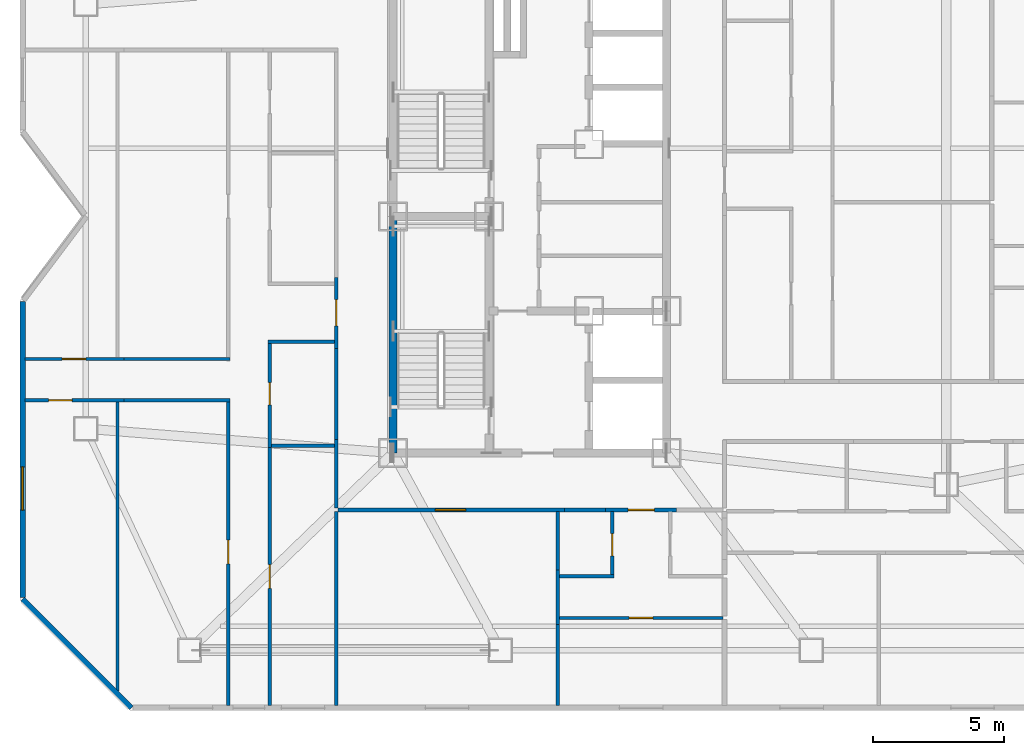
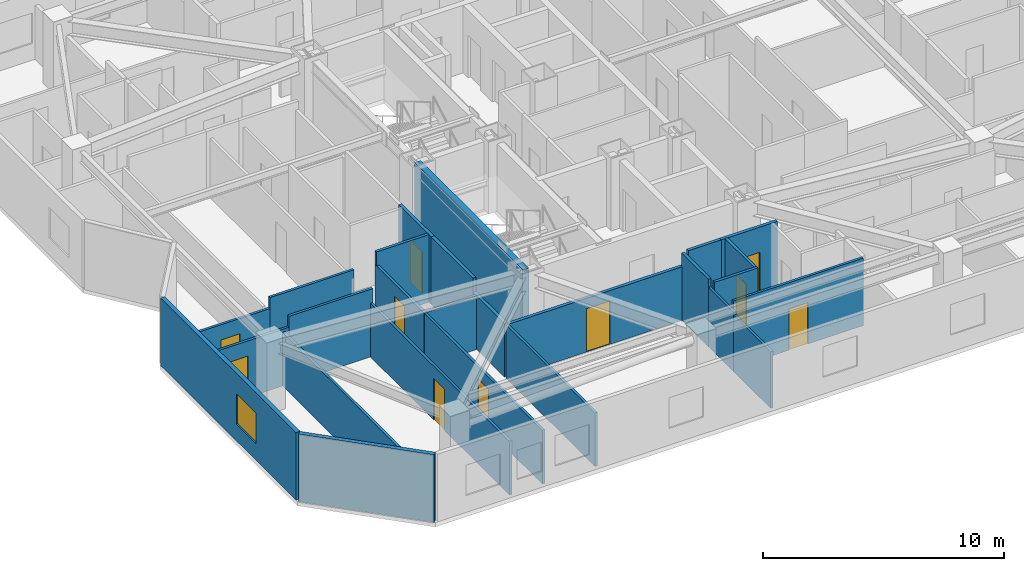
# One storey, part 5 of 13: 26 walls, 10 doors, 1 window, 11 openings.
"""IFC4 building model written with IfcOpenShell, lengths in metres."""

from ifc_helpers import new_model, si_unit, direction, frame, frame_2d, origin, place, context, subcontext, project, spatial, rectangle, extrude, material, layer, layer_set, type_object, element, fill, save


model = new_model("IFC4")

# Units and contexts
model_context = context("Model", 3, precision=1e-05, world=origin(), true_north=direction((0.0, 1.0)))
body_context = subcontext(model_context, "Body", "Model", "MODEL_VIEW")
ifc_project = project(units=[si_unit("LENGTHUNIT", "METRE"), si_unit("AREAUNIT", "SQUARE_METRE"), si_unit("VOLUMEUNIT", "CUBIC_METRE"), si_unit("PLANEANGLEUNIT", "RADIAN"), si_unit("MASSUNIT", "GRAM", prefix="KILO")], contexts=[model_context])

# Site, building, storey
site_placement = place(None, origin())
site = spatial("IfcSite", under=ifc_project, at=site_placement, CompositionType="ELEMENT")
building_placement = place(site_placement, origin())
building = spatial("IfcBuilding", under=site, at=building_placement, Name="Khamvora Tower", CompositionType="ELEMENT")
storey_placement = place(building_placement, frame((0.0, 0.0, 196.050048828125)))
storey = spatial("IfcBuildingStorey", under=building, at=storey_placement, Name="L50", CompositionType="ELEMENT", Elevation=196.050048828125)

# Wall
ifc_material_1 = material(Name="Concrete C50/60", Category="concrete")
ifc_layer_1 = layer(ifc_material_1, 0.300048828125)
ifc_layer_set_1 = layer_set([ifc_layer_1], Name="Concrete C50/60")
wall_type_1 = type_object("IfcWallType", Name="WAL-CORE-300", PredefinedType="SHEAR", material=ifc_layer_set_1)
wall_1_placement = place(storey_placement, frame((29.0, 19.0, 0.0), z_axis=(0.0, 0.0, 1.0), x_axis=(0.0, 1.0, 0.0)))
element("IfcWall", 1, at=wall_1_placement, inside=storey, type_object=wall_type_1, Name="L50 central core west south wall", PredefinedType="SHEAR", context=body_context, shape_type="SweptSolid", body=[
    extrude(rectangle(XDim=9.0, YDim=0.300048828125, at=frame_2d((4.5, 0.0))), origin(), (0.0, 0.0, 1.0), 3.429931640625),
])

# Wall, opening, door
ifc_material_2 = material(Name="Fire-Rated Drywall and Steel Stud", Category="steel")
ifc_layer_2 = layer(ifc_material_2, 0.14990234375)
ifc_layer_set_2 = layer_set([ifc_layer_2], Name="Fire-Rated Drywall and Steel Stud")
wall_type_2 = type_object("IfcWallType", Name="WAL-CORR-150", PredefinedType="STANDARD", material=ifc_layer_set_2)
wall_2_placement = place(storey_placement, frame((35.513916015625, 16.8349609375, 0.0), z_axis=(0.0, 0.0, 1.0), x_axis=(-1.0, 0.0, 0.0)))
wall_2 = element("IfcWall", 2, at=wall_2_placement, inside=storey, type_object=wall_type_2, Name="L50 interior partition wall 007", PredefinedType="STANDARD", context=body_context, shape_type="SweptSolid", body=[
    extrude(rectangle(XDim=8.614013671875, YDim=0.14990234375, at=frame_2d((4.30712890625, 0.0))), origin(), (0.0, 0.0, 1.0), 2.724853515625),
])
opening_1_placement = place(wall_2_placement, frame((3.7529296875, 0.0, 0.0)))
opening_1 = element("IfcOpeningElement", 3, at=opening_1_placement, cuts=wall_2, Name="Opening D-SC1", PredefinedType="OPENING", context=body_context, shape_type="SweptSolid", body=[
    extrude(rectangle(XDim=1.14990234375, YDim=2.199951171875, at=frame_2d((0.574951171875, 1.10009765625))), frame((0.0, 0.0849609375, 0.0), z_axis=(0.0, -1.0, 0.0), x_axis=(1.0, 0.0, 0.0)), (0.0, 0.0, 1.0), 0.169921875),
])
ifc_material_3 = material(Name="Powder-Coated Steel and Hardwood Leaf", Category="steel")
door_type_1 = type_object("IfcDoorType", Name="DOR-SCHL-1150", OperationType="NOTDEFINED", PredefinedType="DOOR", material=ifc_material_3)
door_1_placement = place(opening_1_placement, origin())
door_1 = element("IfcDoor", 4, at=door_1_placement, inside=storey, type_object=door_type_1, Name="L50 interior door COR-RCOW", OperationType="SINGLE_SWING_RIGHT", OverallHeight=2.199951171875, OverallWidth=1.14990234375, PredefinedType="DOOR", context=body_context, shape_type="SweptSolid", body=[
    extrude(rectangle(XDim=1.14990234375, YDim=2.199951171875, at=frame_2d((0.574951171875, 1.10009765625))), frame((0.0, 0.02490234375, 0.0), z_axis=(0.0, -1.0, 0.0), x_axis=(1.0, 0.0, 0.0)), (0.0, 0.0, 1.0), 0.050048828125),
])
fill(opening_1, door_1)

# Wall
wall_3_placement = place(storey_placement, frame((26.8349609375, 16.89990234375, 0.0), z_axis=(0.0, 0.0, 1.0), x_axis=(0.0, 1.0, 0.0)))
element("IfcWall", 5, at=wall_3_placement, inside=storey, type_object=wall_type_2, Name="L50 interior partition wall 008", PredefinedType="STANDARD", context=body_context, shape_type="SweptSolid", body=[
    extrude(rectangle(XDim=2.6181640625, YDim=0.14990234375, at=frame_2d((1.30908203125, 0.0))), origin(), (0.0, 0.0, 1.0), 2.724853515625),
])

# Wall, opening, door
wall_4_placement = place(storey_placement, frame((26.8349609375, 22.985107421875, 0.0), z_axis=(0.0, 0.0, 1.0), x_axis=(0.0, 1.0, 0.0)))
wall_4 = element("IfcWall", 6, at=wall_4_placement, inside=storey, type_object=wall_type_2, Name="L50 interior partition wall 011", PredefinedType="STANDARD", context=body_context, shape_type="SweptSolid", body=[
    extrude(rectangle(XDim=2.697998046875, YDim=0.14990234375, at=frame_2d((1.34912109375, 0.0))), origin(), (0.0, 0.0, 1.0), 3.429931640625),
])
opening_2_placement = place(wall_4_placement, frame((0.84912109375, 0.0, 0.0)))
opening_2 = element("IfcOpeningElement", 7, at=opening_2_placement, cuts=wall_4, Name="Opening D-U1", PredefinedType="OPENING", context=body_context, shape_type="SweptSolid", body=[
    extrude(rectangle(XDim=1.0, YDim=2.14990234375, at=frame_2d((0.5, 1.074951171875))), frame((0.0, 0.0849609375, 0.0), z_axis=(0.0, -1.0, 0.0), x_axis=(1.0, 0.0, 0.0)), (0.0, 0.0, 1.0), 0.169921875),
])
door_type_2 = type_object("IfcDoorType", Name="DOR-UNIT-1000", OperationType="NOTDEFINED", PredefinedType="DOOR", material=ifc_material_3)
door_2_placement = place(opening_2_placement, origin())
door_2 = element("IfcDoor", 8, at=door_2_placement, inside=storey, type_object=door_type_2, Name="L50 interior door COR-50WAH", OperationType="SINGLE_SWING_LEFT", OverallHeight=2.14990234375, OverallWidth=1.0, PredefinedType="DOOR", context=body_context, shape_type="SweptSolid", body=[
    extrude(rectangle(XDim=1.0, YDim=2.14990234375, at=frame_2d((0.5, 1.074951171875))), frame((0.0, 0.02490234375, 0.0), z_axis=(0.0, -1.0, 0.0), x_axis=(1.0, 0.0, 0.0)), (0.0, 0.0, 1.0), 0.050048828125),
])
fill(opening_2, door_2)

# Wall
wall_5_placement = place(storey_placement, frame((26.8349609375, 19.51806640625, 0.0), z_axis=(0.0, 0.0, 1.0), x_axis=(0.0, 1.0, 0.0)))
element("IfcWall", 9, at=wall_5_placement, inside=storey, type_object=wall_type_2, Name="L50 interior partition wall 013", PredefinedType="STANDARD", context=body_context, shape_type="SweptSolid", body=[
    extrude(rectangle(XDim=3.467041015625, YDim=0.14990234375, at=frame_2d((1.7333984375, 0.0))), origin(), (0.0, 0.0, 1.0), 3.429931640625),
])

# Wall, opening, door
wall_6_placement = place(storey_placement, frame((39.7890625, 16.8349609375, 0.0), z_axis=(0.0, 0.0, 1.0), x_axis=(-1.0, 0.0, 0.0)))
wall_6 = element("IfcWall", 10, at=wall_6_placement, inside=storey, type_object=wall_type_2, Name="L50 interior partition wall 022", PredefinedType="STANDARD", context=body_context, shape_type="SweptSolid", body=[
    extrude(rectangle(XDim=2.697998046875, YDim=0.14990234375, at=frame_2d((1.34912109375, 0.0))), origin(), (0.0, 0.0, 1.0), 3.429931640625),
])
opening_3_placement = place(wall_6_placement, frame((0.84912109375, 0.0, 0.0)))
opening_3 = element("IfcOpeningElement", 11, at=opening_3_placement, cuts=wall_6, Name="Opening D-U1", PredefinedType="OPENING", context=body_context, shape_type="SweptSolid", body=[
    extrude(rectangle(XDim=1.0, YDim=2.14990234375, at=frame_2d((0.5, 1.074951171875))), frame((0.0, 0.0849609375, 0.0), z_axis=(0.0, -1.0, 0.0), x_axis=(1.0, 0.0, 0.0)), (0.0, 0.0, 1.0), 0.169921875),
])
door_3_placement = place(opening_3_placement, origin())
door_3 = element("IfcDoor", 12, at=door_3_placement, inside=storey, type_object=door_type_2, Name="L50 interior door COR-50SAH", OperationType="SINGLE_SWING_RIGHT", OverallHeight=2.14990234375, OverallWidth=1.0, PredefinedType="DOOR", context=body_context, shape_type="SweptSolid", body=[
    extrude(rectangle(XDim=1.0, YDim=2.14990234375, at=frame_2d((0.5, 1.074951171875))), frame((0.0, 0.02490234375, 0.0), z_axis=(0.0, -1.0, 0.0), x_axis=(1.0, 0.0, 0.0)), (0.0, 0.0, 1.0), 0.050048828125),
])
fill(opening_3, door_3)

# Walls
wall_7_placement = place(storey_placement, frame((37.091064453125, 16.8349609375, 0.0), z_axis=(0.0, 0.0, 1.0), x_axis=(-1.0, 0.0, 0.0)))
element("IfcWall", 13, at=wall_7_placement, inside=storey, type_object=wall_type_2, Name="L50 interior partition wall 023", PredefinedType="STANDARD", context=body_context, shape_type="SweptSolid", body=[
    extrude(rectangle(XDim=1.5771484375, YDim=0.14990234375, at=frame_2d((0.78857421875, 0.0))), origin(), (0.0, 0.0, 1.0), 3.429931640625),
])
ifc_material_4 = material(Name="Precast concrete C40/50", Category="concrete")
ifc_layer_3 = layer(ifc_material_4, 0.199951171875)
ifc_layer_set_3 = layer_set([ifc_layer_3], Name="Precast concrete C40/50")
wall_type_3 = type_object("IfcWallType", Name="WAL-EXT-200", PredefinedType="STANDARD", material=ifc_layer_set_3)
wall_8_placement = place(storey_placement, frame((19.041015625, 9.300048828125, 0.0), z_axis=(0.0, 0.0, 1.0), x_axis=(-0.707127625344, 0.707085936414, 0.0)))
element("IfcWall", 14, at=wall_8_placement, inside=storey, type_object=wall_type_3, Name="L50 exterior facade wall 01.1", PredefinedType="STANDARD", context=body_context, shape_type="SweptSolid", body=[
    extrude(rectangle(XDim=5.856201171875, YDim=0.199951171875, at=frame_2d((2.92822265625, 0.0))), origin(), (0.0, 0.0, 1.0), 3.429931640625),
])

# Wall, opening, window
wall_9_placement = place(storey_placement, frame((14.89990234375, 13.50390625, 0.0), z_axis=(0.0, 0.0, 1.0), x_axis=(0.0, 1.0, 0.0)))
wall_9 = element("IfcWall", 15, at=wall_9_placement, inside=storey, type_object=wall_type_3, Name="L50 exterior facade wall 02.1", PredefinedType="STANDARD", context=body_context, shape_type="SweptSolid", body=[
    extrude(rectangle(XDim=11.26318359375, YDim=0.199951171875, at=frame_2d((5.631591796875, 0.0))), origin(), (0.0, 0.0, 1.0), 3.429931640625),
])
opening_4_placement = place(wall_9_placement, frame((3.318115234375, 0.0, 0.85009765625)))
opening_4 = element("IfcOpeningElement", 16, at=opening_4_placement, cuts=wall_9, Name="Opening WN-06", PredefinedType="OPENING", context=body_context, shape_type="SweptSolid", body=[
    extrude(rectangle(XDim=1.64990234375, YDim=1.550048828125, at=frame_2d((0.824951171875, 0.77490234375))), frame((0.0, 0.10986328125, 0.0), z_axis=(0.0, -1.0, 0.0), x_axis=(1.0, 0.0, 0.0)), (0.0, 0.0, 1.0), 0.219970703125),
])
ifc_material_5 = material(Name="Low-E Laminated Double Glazing", Category="glass")
window_type = type_object("IfcWindowType", Name="WIN-VIS-1650x1550", PartitioningType="SINGLE_PANEL", PredefinedType="WINDOW", material=ifc_material_5)
window_placement = place(opening_4_placement, origin())
window = element("IfcWindow", 17, at=window_placement, inside=storey, type_object=window_type, Name="L50 vision window 02.1.01", OverallHeight=1.550048828125, OverallWidth=1.64990234375, PartitioningType="SINGLE_PANEL", PredefinedType="WINDOW", context=body_context, shape_type="SweptSolid", body=[
    extrude(rectangle(XDim=1.64990234375, YDim=1.550048828125, at=frame_2d((0.824951171875, 0.77490234375))), frame((0.0, 0.030029296875, 0.0), z_axis=(0.0, -1.0, 0.0), x_axis=(1.0, 0.0, 0.0)), (0.0, 0.0, 1.0), 0.06005859375),
])
fill(opening_4, window)

# Walls
ifc_material_6 = material(Name="Gypsum Plasterboard Partition", Category="gypsum")
ifc_layer_4 = layer(ifc_material_6, 0.1201171875)
ifc_layer_set_4 = layer_set([ifc_layer_4], Name="Gypsum Plasterboard Partition")
wall_type_4 = type_object("IfcWallType", Name="WAL-PART-120", PredefinedType="PARTITIONING", material=ifc_layer_set_4)
wall_10_placement = place(storey_placement, frame((26.8349609375, 9.39208984375, 0.0), z_axis=(0.0, 0.0, 1.0), x_axis=(0.0, 1.0, 0.0)))
element("IfcWall", 18, at=wall_10_placement, inside=storey, type_object=wall_type_4, Name="L50 interior partition wall 044", PredefinedType="PARTITIONING", context=body_context, shape_type="SweptSolid", body=[
    extrude(rectangle(XDim=7.3779296875, YDim=0.1201171875, at=frame_2d((3.68896484375, 0.0))), origin(), (0.0, 0.0, 1.0), 2.724853515625),
])
wall_11_placement = place(storey_placement, frame((35.264892578125, 14.553955078125, 0.0), z_axis=(0.0, 0.0, 1.0), x_axis=(0.0, -1.0, 0.0)))
element("IfcWall", 19, at=wall_11_placement, inside=storey, type_object=wall_type_4, Name="L50 interior partition wall 045", PredefinedType="PARTITIONING", context=body_context, shape_type="SweptSolid", body=[
    extrude(rectangle(XDim=2.077880859375, YDim=0.1201171875, at=frame_2d((1.0390625, 0.0))), origin(), (0.0, 0.0, 1.0), 3.012939453125),
])
wall_12_placement = place(storey_placement, frame((35.264892578125, 12.47607421875, 0.0), z_axis=(0.0, 0.0, 1.0), x_axis=(0.0, -1.0, 0.0)))
element("IfcWall", 20, at=wall_12_placement, inside=storey, type_object=wall_type_4, Name="L50 interior partition wall 047", PredefinedType="PARTITIONING", context=body_context, shape_type="SweptSolid", body=[
    extrude(rectangle(XDim=3.083984375, YDim=0.1201171875, at=frame_2d((1.5419921875, 0.0))), origin(), (0.0, 0.0, 1.0), 2.8759765625),
])

# Wall, opening, door
wall_13_placement = place(storey_placement, frame((24.304931640625, 9.39208984375, 0.0), z_axis=(0.0, 0.0, 1.0), x_axis=(0.0, 1.0, 0.0)))
wall_13 = element("IfcWall", 21, at=wall_13_placement, inside=storey, type_object=wall_type_4, Name="L50 interior partition wall 048", PredefinedType="PARTITIONING", context=body_context, shape_type="SweptSolid", body=[
    extrude(rectangle(XDim=9.81201171875, YDim=0.1201171875, at=frame_2d((4.906005859375, 0.0))), origin(), (0.0, 0.0, 1.0), 2.724853515625),
])
opening_5_placement = place(wall_13_placement, frame((4.4560546875, 0.0, 0.0)))
opening_5 = element("IfcOpeningElement", 22, at=opening_5_placement, cuts=wall_13, Name="Opening D-RM1", PredefinedType="OPENING", context=body_context, shape_type="SweptSolid", body=[
    extrude(rectangle(XDim=0.89990234375, YDim=2.10009765625, at=frame_2d((0.449951171875, 1.050048828125))), frame((0.0, 0.070068359375, 0.0), z_axis=(0.0, -1.0, 0.0), x_axis=(1.0, 0.0, 0.0)), (0.0, 0.0, 1.0), 0.14013671875),
])
door_type_3 = type_object("IfcDoorType", Name="DOR-ROOM-900", OperationType="NOTDEFINED", PredefinedType="DOOR", material=ifc_material_3)
door_4_placement = place(opening_5_placement, origin())
door_4 = element("IfcDoor", 23, at=door_4_placement, inside=storey, type_object=door_type_3, Name="L50 interior door 50WAW1-50WAH", OperationType="SINGLE_SWING_LEFT", OverallHeight=2.10009765625, OverallWidth=0.89990234375, PredefinedType="DOOR", context=body_context, shape_type="SweptSolid", body=[
    extrude(rectangle(XDim=0.89990234375, YDim=2.10009765625, at=frame_2d((0.449951171875, 1.050048828125))), frame((0.0, 0.02490234375, 0.0), z_axis=(0.0, -1.0, 0.0), x_axis=(1.0, 0.0, 0.0)), (0.0, 0.0, 1.0), 0.050048828125),
])
fill(opening_5, door_4)

wall_14_placement = place(storey_placement, frame((18.759033203125, 21.0048828125, 0.0), z_axis=(0.0, 0.0, 1.0), x_axis=(-1.0, 0.0, 0.0)))
wall_14 = element("IfcWall", 24, at=wall_14_placement, inside=storey, type_object=wall_type_4, Name="L50 interior partition wall 056", PredefinedType="PARTITIONING", context=body_context, shape_type="SweptSolid", body=[
    extrude(rectangle(XDim=3.76708984375, YDim=0.1201171875, at=frame_2d((1.883544921875, 0.0))), origin(), (0.0, 0.0, 1.0), 2.8759765625),
])
opening_6_placement = place(wall_14_placement, frame((1.972900390625, 0.0, 0.0)))
opening_6 = element("IfcOpeningElement", 25, at=opening_6_placement, cuts=wall_14, Name="Opening D-RM1", PredefinedType="OPENING", context=body_context, shape_type="SweptSolid", body=[
    extrude(rectangle(XDim=0.89990234375, YDim=2.10009765625, at=frame_2d((0.449951171875, 1.050048828125))), frame((0.0, 0.070068359375, 0.0), z_axis=(0.0, -1.0, 0.0), x_axis=(1.0, 0.0, 0.0)), (0.0, 0.0, 1.0), 0.14013671875),
])
door_5_placement = place(opening_6_placement, origin())
door_5 = element("IfcDoor", 26, at=door_5_placement, inside=storey, type_object=door_type_3, Name="L50 interior door 50WAH-50WAL", OperationType="SINGLE_SWING_RIGHT", OverallHeight=2.10009765625, OverallWidth=0.89990234375, PredefinedType="DOOR", context=body_context, shape_type="SweptSolid", body=[
    extrude(rectangle(XDim=0.89990234375, YDim=2.10009765625, at=frame_2d((0.449951171875, 1.050048828125))), frame((0.0, 0.02490234375, 0.0), z_axis=(0.0, -1.0, 0.0), x_axis=(1.0, 0.0, 0.0)), (0.0, 0.0, 1.0), 0.050048828125),
])
fill(opening_6, door_5)

wall_15_placement = place(storey_placement, frame((22.72509765625, 9.39208984375, 0.0), z_axis=(0.0, 0.0, 1.0), x_axis=(0.0, 1.0, 0.0)))
wall_15 = element("IfcWall", 27, at=wall_15_placement, inside=storey, type_object=wall_type_4, Name="L50 interior partition wall 057", PredefinedType="PARTITIONING", context=body_context, shape_type="SweptSolid", body=[
    extrude(rectangle(XDim=11.677978515625, YDim=0.1201171875, at=frame_2d((5.8388671875, 0.0))), origin(), (0.0, 0.0, 1.0), 2.724853515625),
])
opening_7_placement = place(wall_15_placement, frame((5.388916015625, 0.0, 0.0)))
opening_7 = element("IfcOpeningElement", 28, at=opening_7_placement, cuts=wall_15, Name="Opening D-RM1", PredefinedType="OPENING", context=body_context, shape_type="SweptSolid", body=[
    extrude(rectangle(XDim=0.89990234375, YDim=2.10009765625, at=frame_2d((0.449951171875, 1.050048828125))), frame((0.0, 0.070068359375, 0.0), z_axis=(0.0, -1.0, 0.0), x_axis=(1.0, 0.0, 0.0)), (0.0, 0.0, 1.0), 0.14013671875),
])
door_6_placement = place(opening_7_placement, origin())
door_6 = element("IfcDoor", 29, at=door_6_placement, inside=storey, type_object=door_type_3, Name="L50 interior door 50WAH-50WAR2", OperationType="SINGLE_SWING_RIGHT", OverallHeight=2.10009765625, OverallWidth=0.89990234375, PredefinedType="DOOR", context=body_context, shape_type="SweptSolid", body=[
    extrude(rectangle(XDim=0.89990234375, YDim=2.10009765625, at=frame_2d((0.449951171875, 1.050048828125))), frame((0.0, 0.02490234375, 0.0), z_axis=(0.0, -1.0, 0.0), x_axis=(1.0, 0.0, 0.0)), (0.0, 0.0, 1.0), 0.050048828125),
])
fill(opening_7, door_6)

# Wall
wall_16_placement = place(storey_placement, frame((22.7900390625, 21.0048828125, 0.0), z_axis=(0.0, 0.0, 1.0), x_axis=(-1.0, 0.0, 0.0)))
element("IfcWall", 30, at=wall_16_placement, inside=storey, type_object=wall_type_4, Name="L50 interior partition wall 058", PredefinedType="PARTITIONING", context=body_context, shape_type="SweptSolid", body=[
    extrude(rectangle(XDim=4.031005859375, YDim=0.1201171875, at=frame_2d((2.015625, 0.0))), origin(), (0.0, 0.0, 1.0), 3.429931640625),
])

# Wall, opening, door
wall_17_placement = place(storey_placement, frame((14.991943359375, 22.574951171875, 0.0), z_axis=(0.0, 0.0, 1.0), x_axis=(1.0, 0.0, 0.0)))
wall_17 = element("IfcWall", 31, at=wall_17_placement, inside=storey, type_object=wall_type_4, Name="L50 interior partition wall 059", PredefinedType="PARTITIONING", context=body_context, shape_type="SweptSolid", body=[
    extrude(rectangle(XDim=3.76708984375, YDim=0.1201171875, at=frame_2d((1.883544921875, 0.0))), origin(), (0.0, 0.0, 1.0), 2.8759765625),
])
opening_8_placement = place(wall_17_placement, frame((1.4130859375, 0.0, 0.0)))
opening_8 = element("IfcOpeningElement", 32, at=opening_8_placement, cuts=wall_17, Name="Opening D-RM1", PredefinedType="OPENING", context=body_context, shape_type="SweptSolid", body=[
    extrude(rectangle(XDim=0.89990234375, YDim=2.10009765625, at=frame_2d((0.449951171875, 1.050048828125))), frame((0.0, 0.070068359375, 0.0), z_axis=(0.0, -1.0, 0.0), x_axis=(1.0, 0.0, 0.0)), (0.0, 0.0, 1.0), 0.14013671875),
])
door_7_placement = place(opening_8_placement, origin())
door_7 = element("IfcDoor", 33, at=door_7_placement, inside=storey, type_object=door_type_3, Name="L50 interior door 50WAH-50WAR3", OperationType="SINGLE_SWING_LEFT", OverallHeight=2.10009765625, OverallWidth=0.89990234375, PredefinedType="DOOR", context=body_context, shape_type="SweptSolid", body=[
    extrude(rectangle(XDim=0.89990234375, YDim=2.10009765625, at=frame_2d((0.449951171875, 1.050048828125))), frame((0.0, 0.02490234375, 0.0), z_axis=(0.0, -1.0, 0.0), x_axis=(1.0, 0.0, 0.0)), (0.0, 0.0, 1.0), 0.050048828125),
])
fill(opening_8, door_7)

# Walls
wall_18_placement = place(storey_placement, frame((18.759033203125, 22.574951171875, 0.0), z_axis=(0.0, 0.0, 1.0), x_axis=(1.0, 0.0, 0.0)))
element("IfcWall", 34, at=wall_18_placement, inside=storey, type_object=wall_type_4, Name="L50 interior partition wall 060", PredefinedType="PARTITIONING", context=body_context, shape_type="SweptSolid", body=[
    extrude(rectangle(XDim=4.031005859375, YDim=0.1201171875, at=frame_2d((2.015625, 0.0))), origin(), (0.0, 0.0, 1.0), 3.429931640625),
])
wall_19_placement = place(storey_placement, frame((18.510009765625, 20.950927734375, 0.0), z_axis=(0.0, 0.0, 1.0), x_axis=(0.0, -1.0, 0.0)))
element("IfcWall", 35, at=wall_19_placement, inside=storey, type_object=wall_type_4, Name="L50 interior partition wall 062", PredefinedType="PARTITIONING", context=body_context, shape_type="SweptSolid", body=[
    extrude(rectangle(XDim=11.0048828125, YDim=0.1201171875, at=frame_2d((5.50244140625, 0.0))), origin(), (0.0, 0.0, 1.0), 2.724853515625),
])

# Wall, opening, door
wall_20_placement = place(storey_placement, frame((41.550048828125, 12.72509765625, 0.0), z_axis=(0.0, 0.0, 1.0), x_axis=(-1.0, 0.0, 0.0)))
wall_20 = element("IfcWall", 36, at=wall_20_placement, inside=storey, type_object=wall_type_4, Name="L50 interior partition wall 086", PredefinedType="PARTITIONING", context=body_context, shape_type="SweptSolid", body=[
    extrude(rectangle(XDim=6.23095703125, YDim=0.1201171875, at=frame_2d((3.115478515625, 0.0))), origin(), (0.0, 0.0, 1.0), 3.429931640625),
])
opening_9_placement = place(wall_20_placement, frame((2.6650390625, 0.0, 0.0)))
opening_9 = element("IfcOpeningElement", 37, at=opening_9_placement, cuts=wall_20, Name="Opening D-RM1", PredefinedType="OPENING", context=body_context, shape_type="SweptSolid", body=[
    extrude(rectangle(XDim=0.89990234375, YDim=2.10009765625, at=frame_2d((0.449951171875, 1.050048828125))), frame((0.0, 0.070068359375, 0.0), z_axis=(0.0, -1.0, 0.0), x_axis=(1.0, 0.0, 0.0)), (0.0, 0.0, 1.0), 0.14013671875),
])
door_8_placement = place(opening_9_placement, origin())
door_8 = element("IfcDoor", 38, at=door_8_placement, inside=storey, type_object=door_type_3, Name="L50 interior door 50SAH-50SAS", OperationType="SINGLE_SWING_LEFT", OverallHeight=2.10009765625, OverallWidth=0.89990234375, PredefinedType="DOOR", context=body_context, shape_type="SweptSolid", body=[
    extrude(rectangle(XDim=0.89990234375, YDim=2.10009765625, at=frame_2d((0.449951171875, 1.050048828125))), frame((0.0, 0.02490234375, 0.0), z_axis=(0.0, -1.0, 0.0), x_axis=(1.0, 0.0, 0.0)), (0.0, 0.0, 1.0), 0.050048828125),
])
fill(opening_9, door_8)

# Walls
ifc_material_7 = material(Name="Moisture-Resistant Plasterboard Partition", Category="gypsum")
ifc_layer_5 = layer(ifc_material_7, 0.135009765625)
ifc_layer_set_5 = layer_set([ifc_layer_5], Name="Moisture-Resistant Plasterboard Partition")
wall_type_5 = type_object("IfcWallType", Name="WAL-WET-135", PredefinedType="PARTITIONING", material=ifc_layer_set_5)
wall_21_placement = place(storey_placement, frame((35.264892578125, 16.77001953125, 0.0), z_axis=(0.0, 0.0, 1.0), x_axis=(0.0, -1.0, 0.0)))
element("IfcWall", 39, at=wall_21_placement, inside=storey, type_object=wall_type_5, Name="L50 interior partition wall 046", PredefinedType="PARTITIONING", context=body_context, shape_type="SweptSolid", body=[
    extrude(rectangle(XDim=2.216064453125, YDim=0.135009765625, at=frame_2d((1.10791015625, 0.0))), origin(), (0.0, 0.0, 1.0), 3.429931640625),
])
wall_22_placement = place(storey_placement, frame((24.3701171875, 19.26904296875, 0.0), z_axis=(0.0, 0.0, 1.0), x_axis=(1.0, 0.0, 0.0)))
element("IfcWall", 40, at=wall_22_placement, inside=storey, type_object=wall_type_5, Name="L50 interior partition wall 049", PredefinedType="PARTITIONING", context=body_context, shape_type="SweptSolid", body=[
    extrude(rectangle(XDim=2.39990234375, YDim=0.135009765625, at=frame_2d((1.199951171875, 0.0))), origin(), (0.0, 0.0, 1.0), 2.724853515625),
])
wall_23_placement = place(storey_placement, frame((26.77001953125, 23.23388671875, 0.0), z_axis=(0.0, 0.0, 1.0), x_axis=(-1.0, 0.0, 0.0)))
element("IfcWall", 41, at=wall_23_placement, inside=storey, type_object=wall_type_5, Name="L50 interior partition wall 052", PredefinedType="PARTITIONING", context=body_context, shape_type="SweptSolid", body=[
    extrude(rectangle(XDim=2.530029296875, YDim=0.135009765625, at=frame_2d((1.26513671875, 0.0))), origin(), (0.0, 0.0, 1.0), 3.429931640625),
])

# Wall, opening, door
wall_24_placement = place(storey_placement, frame((24.304931640625, 23.299072265625, 0.0), z_axis=(0.0, 0.0, 1.0), x_axis=(0.0, -1.0, 0.0)))
wall_24 = element("IfcWall", 42, at=wall_24_placement, inside=storey, type_object=wall_type_5, Name="L50 interior partition wall 053", PredefinedType="PARTITIONING", context=body_context, shape_type="SweptSolid", body=[
    extrude(rectangle(XDim=4.094970703125, YDim=0.135009765625, at=frame_2d((2.04736328125, 0.0))), origin(), (0.0, 0.0, 1.0), 2.724853515625),
])
opening_10_placement = place(wall_24_placement, frame((1.6220703125, 0.0, 0.0)))
opening_10 = element("IfcOpeningElement", 43, at=opening_10_placement, cuts=wall_24, Name="Opening D-WC1", PredefinedType="OPENING", context=body_context, shape_type="SweptSolid", body=[
    extrude(rectangle(XDim=0.85009765625, YDim=2.10009765625, at=frame_2d((0.425048828125, 1.050048828125))), frame((0.0, 0.077392578125, 0.0), z_axis=(0.0, -1.0, 0.0), x_axis=(1.0, 0.0, 0.0)), (0.0, 0.0, 1.0), 0.155029296875),
])
door_type_4 = type_object("IfcDoorType", Name="DOR-WET-850", OperationType="NOTDEFINED", PredefinedType="DOOR", material=ifc_material_3)
door_9_placement = place(opening_10_placement, origin())
door_9 = element("IfcDoor", 44, at=door_9_placement, inside=storey, type_object=door_type_4, Name="L50 interior door 50WAH-50WAB", OperationType="SINGLE_SWING_LEFT", OverallHeight=2.10009765625, OverallWidth=0.85009765625, PredefinedType="DOOR", context=body_context, shape_type="SweptSolid", body=[
    extrude(rectangle(XDim=0.85009765625, YDim=2.10009765625, at=frame_2d((0.425048828125, 1.050048828125))), frame((0.0, 0.02490234375, 0.0), z_axis=(0.0, -1.0, 0.0), x_axis=(1.0, 0.0, 0.0)), (0.0, 0.0, 1.0), 0.050048828125),
])
fill(opening_10, door_9)

# Wall
wall_25_placement = place(storey_placement, frame((35.319091796875, 14.304931640625, 0.0), z_axis=(0.0, 0.0, 1.0), x_axis=(1.0, 0.0, 0.0)))
element("IfcWall", 45, at=wall_25_placement, inside=storey, type_object=wall_type_5, Name="L50 interior partition wall 082", PredefinedType="PARTITIONING", context=body_context, shape_type="SweptSolid", body=[
    extrude(rectangle(XDim=2.0859375, YDim=0.135009765625, at=frame_2d((1.04296875, 0.0))), origin(), (0.0, 0.0, 1.0), 3.429931640625),
])

# Wall, opening, door
wall_26_placement = place(storey_placement, frame((37.340087890625, 14.239990234375, 0.0), z_axis=(0.0, 0.0, 1.0), x_axis=(0.0, 1.0, 0.0)))
wall_26 = element("IfcWall", 46, at=wall_26_placement, inside=storey, type_object=wall_type_5, Name="L50 interior partition wall 083", PredefinedType="PARTITIONING", context=body_context, shape_type="SweptSolid", body=[
    extrude(rectangle(XDim=2.530029296875, YDim=0.135009765625, at=frame_2d((1.26513671875, 0.0))), origin(), (0.0, 0.0, 1.0), 3.429931640625),
])
opening_11_placement = place(wall_26_placement, frame((0.840087890625, 0.0, 0.0)))
opening_11 = element("IfcOpeningElement", 47, at=opening_11_placement, cuts=wall_26, Name="Opening D-WC1", PredefinedType="OPENING", context=body_context, shape_type="SweptSolid", body=[
    extrude(rectangle(XDim=0.85009765625, YDim=2.10009765625, at=frame_2d((0.425048828125, 1.050048828125))), frame((0.0, 0.077392578125, 0.0), z_axis=(0.0, -1.0, 0.0), x_axis=(1.0, 0.0, 0.0)), (0.0, 0.0, 1.0), 0.155029296875),
])
door_10_placement = place(opening_11_placement, origin())
door_10 = element("IfcDoor", 48, at=door_10_placement, inside=storey, type_object=door_type_4, Name="L50 interior door 50SAH-50SAB", OperationType="SINGLE_SWING_LEFT", OverallHeight=2.10009765625, OverallWidth=0.85009765625, PredefinedType="DOOR", context=body_context, shape_type="SweptSolid", body=[
    extrude(rectangle(XDim=0.85009765625, YDim=2.10009765625, at=frame_2d((0.425048828125, 1.050048828125))), frame((0.0, 0.02490234375, 0.0), z_axis=(0.0, -1.0, 0.0), x_axis=(1.0, 0.0, 0.0)), (0.0, 0.0, 1.0), 0.050048828125),
])
fill(opening_11, door_10)

save(model, "model.ifc")
